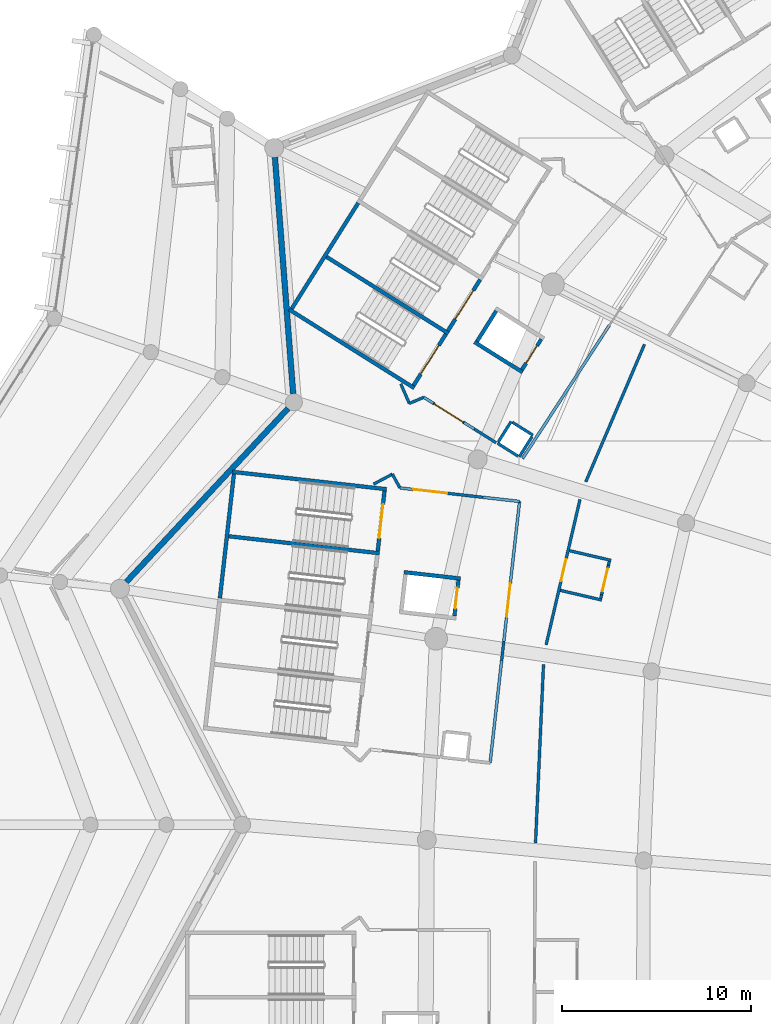
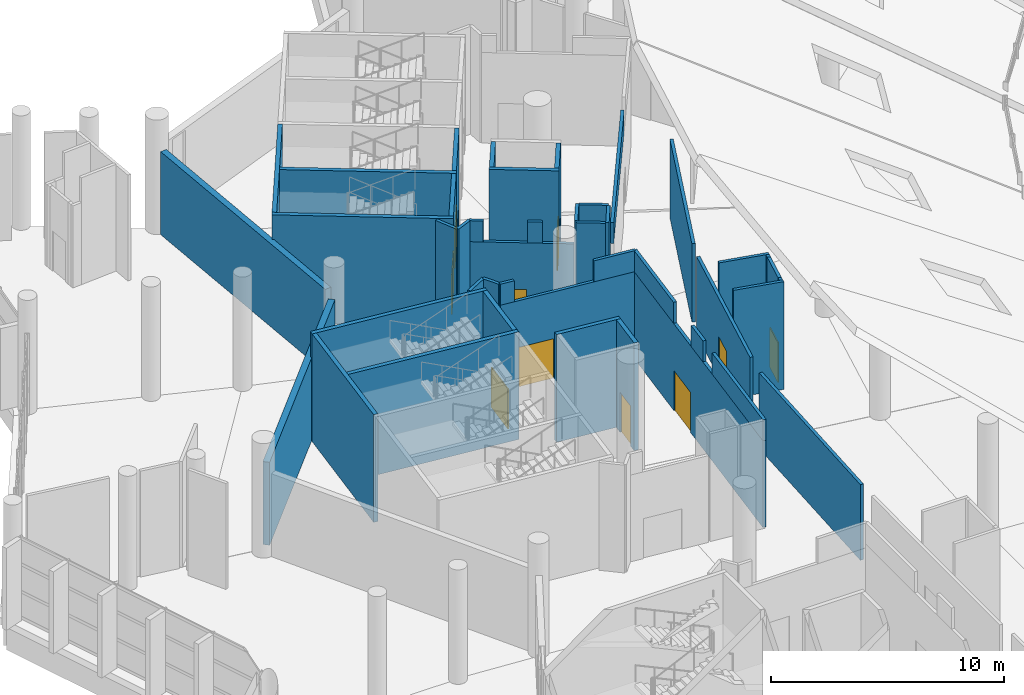
# One storey, part 161 of 249: 43 walls, 10 doors, 10 openings.
"""IFC4 building model written with IfcOpenShell, lengths in metres."""

import ifcopenshell
import ifcopenshell.guid

model = None  # the IFC model being written
_history = None  # IfcOwnerHistory: only IFC2X3 demands one
_inside = {}  # id of a spatial element -> (the spatial element, [elements in it])
_under = {}  # id of a project, library or spatial element -> (it, [spatial elements below it])
_declared = {}  # id of a project -> (the project, [libraries it declares])
_typed = {}  # id of a type object -> (the type object, [elements of that type])
_made_of = {}  # id of a material, layer set ... -> (it, [elements and type objects made of it])


def new_model(schema):
    """Start an empty IFC model of exactly this schema.

    Asked for "IFC4X3", IfcOpenShell would pick the latest addendum, in which some entities
    have other attributes; the version numbers below select the first issue.
    IFC2X3 requires an IfcOwnerHistory on every rooted entity: one is made here for all.
    """
    global model, _history
    if schema == "IFC4X3":
        model = ifcopenshell.file(schema_version=(4, 3, 0, 0))
    else:
        model = ifcopenshell.file(schema=schema)
    _inside.clear()
    _under.clear()
    _declared.clear()
    _typed.clear()
    _made_of.clear()
    _history = None
    if model.schema == "IFC2X3":
        org = make("IfcOrganization", Name="unknown")
        user = make(
            "IfcPersonAndOrganization",
            ThePerson=make("IfcPerson", FamilyName="unknown"),
            TheOrganization=org,
        )
        app = make(
            "IfcApplication",
            ApplicationDeveloper=org,
            Version="unknown",
            ApplicationFullName="unknown",
            ApplicationIdentifier="unknown",
        )
        _history = make(
            "IfcOwnerHistory",
            OwningUser=user,
            OwningApplication=app,
            ChangeAction="ADDED",
            CreationDate=0,
        )
    return model


def make(cls, **values):
    """One entity of the class cls with the attributes given. An attribute that is None is left unset."""
    return model.create_entity(
        cls, **{name: value for name, value in values.items() if value is not None}
    )


def rooted(cls, **values):
    """An entity with a GlobalId (a new one), such as an element, a storey or a relation."""
    return make(cls, GlobalId=ifcopenshell.guid.new(), OwnerHistory=_history, **values)


def si_unit(unit_type, name, prefix=None):
    """IfcSIUnit, for example si_unit("LENGTHUNIT", "METRE", prefix="MILLI")."""
    return make("IfcSIUnit", UnitType=unit_type, Prefix=prefix, Name=name)


def assignment(units):
    """IfcUnitAssignment: the units of a project."""
    return None if units is None else make("IfcUnitAssignment", Units=units)


def point(xyz):
    """IfcCartesianPoint."""
    return None if xyz is None else make("IfcCartesianPoint", Coordinates=xyz)


def direction(xyz):
    """IfcDirection."""
    return None if xyz is None else make("IfcDirection", DirectionRatios=xyz)


def frame(location, z_axis=None, x_axis=None):
    """IfcAxis2Placement3D, a coordinate frame: its origin and axes. An axis left out is left unset."""
    return make(
        "IfcAxis2Placement3D",
        Location=point(location),
        Axis=direction(z_axis),
        RefDirection=direction(x_axis),
    )


def frame_2d(location, x_axis=None):
    """IfcAxis2Placement2D, a coordinate frame in the plane: its origin and x axis."""
    return make(
        "IfcAxis2Placement2D", Location=point(location), RefDirection=direction(x_axis)
    )


def origin():
    """The frame at (0, 0, 0) with its axes left unset."""
    return frame((0.0, 0.0, 0.0))


def place(relative_to, where):
    """IfcLocalPlacement: puts the frame where relative to a parent placement (None: the world)."""
    return make(
        "IfcLocalPlacement", PlacementRelTo=relative_to, RelativePlacement=where
    )


def context(
    kind, dimensions, precision=None, world=None, true_north=None, identifier=None
):
    """IfcGeometricRepresentationContext, for example the 3D "Model" context."""
    return make(
        "IfcGeometricRepresentationContext",
        ContextIdentifier=identifier,
        ContextType=kind,
        CoordinateSpaceDimension=dimensions,
        Precision=precision,
        WorldCoordinateSystem=world,
        TrueNorth=true_north,
    )


def subcontext(parent, identifier, kind, view, scale=None):
    """IfcGeometricRepresentationSubContext, for example "Body" below "Model"."""
    return make(
        "IfcGeometricRepresentationSubContext",
        ContextIdentifier=identifier,
        ContextType=kind,
        ParentContext=parent,
        TargetScale=scale,
        TargetView=view,
    )


def project(units=None, contexts=None):
    """IfcProject with its units and contexts."""
    return rooted(
        "IfcProject",
        Name="project",
        RepresentationContexts=contexts,
        UnitsInContext=assignment(units),
    )


def spatial(cls, under=None, at=None, **own):
    """A site, building, storey or space (cls), placed at a placement, below another one or the project."""
    s = rooted(cls, ObjectPlacement=at, **own)
    if under is not None:
        _under.setdefault(under.id(), (under, []))[1].append(s)
    return s


def profile(cls, at=None, kind="AREA", **sizes):
    """A parametric profile (cls). Its sizes go by their IFC names, for example OverallWidth=200.0."""
    return make(cls, ProfileType=kind, Position=at, **sizes)


def rectangle(**sizes):
    """IfcRectangleProfileDef."""
    return profile("IfcRectangleProfileDef", **sizes)


def extrude(swept, where, along, depth):
    """IfcExtrudedAreaSolid: the profile swept, set in the frame where, extruded along a direction by depth."""
    return make(
        "IfcExtrudedAreaSolid",
        SweptArea=swept,
        Position=where,
        ExtrudedDirection=direction(along),
        Depth=depth,
    )


def shape(context_of_items, identifier, shape_type, items):
    """IfcShapeRepresentation: the items that make up one representation, for example the "Body"."""
    return make(
        "IfcShapeRepresentation",
        ContextOfItems=context_of_items,
        RepresentationIdentifier=identifier,
        RepresentationType=shape_type,
        Items=items,
    )


def material(Name=None, Category=None):
    """IfcMaterial."""
    return make("IfcMaterial", Name=Name, Category=Category)


def layer(
    of_material, thickness, ventilated=None, Name=None, Category=None, Priority=None
):
    """IfcMaterialLayer: one layer of a wall or slab, of a material (None: an air gap)."""
    return make(
        "IfcMaterialLayer",
        Material=of_material,
        LayerThickness=thickness,
        IsVentilated=ventilated,
        Name=Name,
        Category=Category,
        Priority=Priority,
    )


def layer_set(layers, Name=None):
    """IfcMaterialLayerSet."""
    return make("IfcMaterialLayerSet", MaterialLayers=layers, LayerSetName=Name)


def made_of(thing, what):
    """Note that an element or type object is made of a material, layer set ...; save() writes the relation."""
    if what is not None:
        _made_of.setdefault(what.id(), (what, []))[1].append(thing)
    return thing


def type_object(cls, material=None, **own):
    """A type object (cls), such as IfcWallType, which elements share."""
    return made_of(rooted(cls, **own), material)


def element(
    cls,
    number,
    at=None,
    inside=None,
    cuts=None,
    type_object=None,
    material=None,
    context=None,
    identifier="Body",
    shape_type=None,
    held_by="IfcProductDefinitionShape",
    body=None,
    shapes=None,
    **own,
):
    """One element of the class cls, such as IfcWall. Its Tag is "e" and its number.

    at: its placement. inside: the storey or other place that contains it. cuts: it is an
    opening in that element (IfcRelVoidsElement). A single representation is given by context,
    identifier, shape_type and body (its items); several are given by shapes. held_by: the class
    of the entity that holds the representations. save() writes the other relations.
    """
    e = rooted(cls, Tag="e%d" % number, ObjectPlacement=at, **own)
    if body is not None:
        shapes = [shape(context, identifier, shape_type, body)]
    if shapes is not None:
        e.Representation = make(held_by, Representations=shapes)
    if inside is not None:
        _inside.setdefault(inside.id(), (inside, []))[1].append(e)
    if cuts is not None:
        rooted(
            "IfcRelVoidsElement", RelatingBuildingElement=cuts, RelatedOpeningElement=e
        )
    if type_object is not None:
        _typed.setdefault(type_object.id(), (type_object, []))[1].append(e)
    return made_of(e, material)


def fill(opening, filler):
    """IfcRelFillsElement: the door or window that sits in an opening."""
    return rooted(
        "IfcRelFillsElement",
        RelatingOpeningElement=opening,
        RelatedBuildingElement=filler,
    )


def aggregate(whole, parts):
    """IfcRelAggregates: a whole, such as a stair, and the parts it consists of."""
    return rooted("IfcRelAggregates", RelatingObject=whole, RelatedObjects=parts)


def save(model, path):
    """Write the relations noted so far, then the file.

    IfcRelAggregates (storeys below a building ...), IfcRelContainedInSpatialStructure (elements
    in a storey), IfcRelDefinesByType, IfcRelAssociatesMaterial and IfcRelDeclares: one each for
    every whole, place, type object, material and project.
    """
    for whole, parts in _under.values():
        aggregate(whole, parts)
    for where, things in _inside.values():
        rooted(
            "IfcRelContainedInSpatialStructure",
            RelatedElements=things,
            RelatingStructure=where,
        )
    for kind, things in _typed.values():
        rooted("IfcRelDefinesByType", RelatedObjects=things, RelatingType=kind)
    for what, things in _made_of.values():
        rooted("IfcRelAssociatesMaterial", RelatedObjects=things, RelatingMaterial=what)
    for by, libraries in _declared.values():
        rooted("IfcRelDeclares", RelatingContext=by, RelatedDefinitions=libraries)
    model.write(path)


model = new_model("IFC4")

# Units and contexts
model_context = context("Model", 3, precision=1e-05, world=origin(), true_north=direction((0.0, 1.0)))
body_context = subcontext(model_context, "Body", "Model", "MODEL_VIEW")
ifc_project = project(units=[si_unit("LENGTHUNIT", "METRE"), si_unit("AREAUNIT", "SQUARE_METRE"), si_unit("VOLUMEUNIT", "CUBIC_METRE"), si_unit("PLANEANGLEUNIT", "RADIAN"), si_unit("MASSUNIT", "GRAM", prefix="KILO")], contexts=[model_context])

# Site, building, storey
site_placement = place(None, origin())
site = spatial("IfcSite", under=ifc_project, at=site_placement, CompositionType="ELEMENT")
building_placement = place(site_placement, origin())
building = spatial("IfcBuilding", under=site, at=building_placement, Name="Meseta Stadium", CompositionType="ELEMENT")
storey_placement = place(building_placement, frame((0.0, 0.0, 12.0)))
storey = spatial("IfcBuildingStorey", under=building, at=storey_placement, Name="L02", CompositionType="ELEMENT", Elevation=12.0)

# Walls
ifc_material_1 = material(Name="Concrete C40/50", Category="concrete")
ifc_layer_1 = layer(ifc_material_1, 0.199951171875)
ifc_layer_set_1 = layer_set([ifc_layer_1], Name="Core divider wall 200")
wall_type_1 = type_object("IfcWallType", Name="Core divider wall 200", PredefinedType="SHEAR", material=ifc_layer_set_1)
wall_1_placement = place(storey_placement, frame((-90.314453125, 73.8291015625, 0.0), z_axis=(0.0, 0.0, 1.0), x_axis=(0.846722763703, -0.532034361135, 0.0)))
element("IfcWall", 1, at=wall_1_placement, inside=storey, type_object=wall_type_1, Name="Core 14 L02 stair B divider wall", PredefinedType="SHEAR", context=body_context, shape_type="SweptSolid", body=[
    extrude(rectangle(XDim=7.800048828125, YDim=0.199951171875, at=frame_2d((3.89990234375, 0.0))), origin(), (0.0, 0.0, 1.0), 5.64990234375),
])
wall_2_placement = place(storey_placement, frame((-95.503662109375, 58.999267578125, 0.0), z_axis=(0.0, 0.0, 1.0), x_axis=(0.993710792168, -0.111977058046, 0.0)))
element("IfcWall", 2, at=wall_2_placement, inside=storey, type_object=wall_type_1, Name="Core 15 L02 stair A divider wall", PredefinedType="SHEAR", context=body_context, shape_type="SweptSolid", body=[
    extrude(rectangle(XDim=8.199951171875, YDim=0.199951171875, at=frame_2d((4.10009765625, 0.0))), origin(), (0.0, 0.0, 1.0), 5.64990234375),
])
ifc_material_2 = material(Name="Concrete C40/50", Category="concrete")
ifc_layer_2 = layer(ifc_material_2, 0.199951171875)
ifc_layer_set_2 = layer_set([ifc_layer_2], Name="Core shaft wall 200")
wall_type_2 = type_object("IfcWallType", Name="Core shaft wall 200", PredefinedType="SHEAR", material=ifc_layer_set_2)
wall_3_placement = place(storey_placement, frame((-92.123291015625, 70.9501953125, 0.0), z_axis=(0.0, 0.0, 1.0), x_axis=(0.846722763703, -0.532034361135, 0.0)))
element("IfcWall", 3, at=wall_3_placement, inside=storey, type_object=wall_type_2, Name="Core 14 L02 stair wall B-side", PredefinedType="SHEAR", context=body_context, shape_type="SweptSolid", body=[
    extrude(rectangle(XDim=7.800048828125, YDim=0.199951171875, at=frame_2d((3.89990234375, 0.0))), origin(), (0.0, 0.0, 1.0), 5.64990234375),
])
wall_4_placement = place(storey_placement, frame((-88.47412109375, 76.570068359375, 0.0), z_axis=(0.0, 0.0, 1.0), x_axis=(-0.532038964807, -0.846719870989, 0.0)))
element("IfcWall", 4, at=wall_4_placement, inside=storey, type_object=wall_type_2, Name="Core 14 L02 stair B outer end wall", PredefinedType="SHEAR", context=body_context, shape_type="SweptSolid", body=[
    extrude(rectangle(XDim=6.60009765625, YDim=0.199951171875, at=frame_2d((3.300048828125, 0.0))), origin(), (0.0, 0.0, 1.0), 5.64990234375),
])

# Wall, opening, door
wall_5_placement = place(storey_placement, frame((-82.0390625, 72.526611328125, 0.0), z_axis=(0.0, 0.0, 1.0), x_axis=(-0.532013720158, -0.846735733015, 0.0)))
wall_5 = element("IfcWall", 5, at=wall_5_placement, inside=storey, type_object=wall_type_2, Name="Core 14 L02 stair B1 inner end wall", PredefinedType="SHEAR", context=body_context, shape_type="SweptSolid", body=[
    extrude(rectangle(XDim=3.199951171875, YDim=0.199951171875, at=frame_2d((1.60009765625, 0.0))), origin(), (0.0, 0.0, 1.0), 5.64990234375),
])
opening_1_placement = place(wall_5_placement, frame((0.673095703125, 0.0, 0.0)))
opening_1 = element("IfcOpeningElement", 6, at=opening_1_placement, cuts=wall_5, Name="Opening D1027", PredefinedType="OPENING", context=body_context, shape_type="SweptSolid", body=[
    extrude(rectangle(XDim=1.800048828125, YDim=2.10009765625, at=frame_2d((0.89990234375, 1.050048828125))), frame((0.0, 0.10986328125, 0.0), z_axis=(0.0, -1.0, 0.0), x_axis=(1.0, 0.0, 0.0)), (0.0, 0.0, 1.0), 0.219970703125),
])
ifc_material_3 = material(Name="Steel", Category="steel")
door_type_1 = type_object("IfcDoorType", Name="Stair door 1800x2100", OperationType="DOUBLE_DOOR_SINGLE_SWING", PredefinedType="DOOR", material=ifc_material_3)
door_1_placement = place(opening_1_placement, origin())
door_1 = element("IfcDoor", 7, at=door_1_placement, inside=storey, type_object=door_type_1, Name="Stair B1 door 14 L02", OperationType="DOUBLE_DOOR_SINGLE_SWING", OverallHeight=2.10009765625, OverallWidth=1.800048828125, PredefinedType="DOOR", context=body_context, shape_type="SweptSolid", body=[
    extrude(rectangle(XDim=1.800048828125, YDim=2.10009765625, at=frame_2d((0.89990234375, 1.050048828125))), frame((0.0, 0.02490234375, 0.0), z_axis=(0.0, -1.0, 0.0), x_axis=(1.0, 0.0, 0.0)), (0.0, 0.0, 1.0), 0.050048828125),
])
fill(opening_1, door_1)

wall_6_placement = place(storey_placement, frame((-83.847900390625, 69.647705078125, 0.0), z_axis=(0.0, 0.0, 1.0), x_axis=(-0.532013720158, -0.846735733015, 0.0)))
wall_6 = element("IfcWall", 8, at=wall_6_placement, inside=storey, type_object=wall_type_2, Name="Core 14 L02 stair B2 inner end wall", PredefinedType="SHEAR", context=body_context, shape_type="SweptSolid", body=[
    extrude(rectangle(XDim=3.199951171875, YDim=0.199951171875, at=frame_2d((1.60009765625, 0.0))), origin(), (0.0, 0.0, 1.0), 5.64990234375),
])
opening_2_placement = place(wall_6_placement, frame((0.699951171875, 0.0, 0.0)))
opening_2 = element("IfcOpeningElement", 9, at=opening_2_placement, cuts=wall_6, Name="Opening D1023", PredefinedType="OPENING", context=body_context, shape_type="SweptSolid", body=[
    extrude(rectangle(XDim=1.800048828125, YDim=2.10009765625, at=frame_2d((0.89990234375, 1.050048828125))), frame((0.0, 0.10986328125, 0.0), z_axis=(0.0, -1.0, 0.0), x_axis=(1.0, 0.0, 0.0)), (0.0, 0.0, 1.0), 0.219970703125),
])
door_2_placement = place(opening_2_placement, origin())
door_2 = element("IfcDoor", 10, at=door_2_placement, inside=storey, type_object=door_type_1, Name="Stair B2 door 14 L02", OperationType="DOUBLE_DOOR_SINGLE_SWING", OverallHeight=2.10009765625, OverallWidth=1.800048828125, PredefinedType="DOOR", context=body_context, shape_type="SweptSolid", body=[
    extrude(rectangle(XDim=1.800048828125, YDim=2.10009765625, at=frame_2d((0.89990234375, 1.050048828125))), frame((0.0, 0.02490234375, 0.0), z_axis=(0.0, -1.0, 0.0), x_axis=(1.0, 0.0, 0.0)), (0.0, 0.0, 1.0), 0.050048828125),
])
fill(opening_2, door_2)

# Walls
wall_7_placement = place(storey_placement, frame((-82.33837890625, 69.230712890625, 0.0), z_axis=(0.0, 0.0, 1.0), x_axis=(0.846757002027, -0.531979867588, 0.0)))
element("IfcWall", 11, at=wall_7_placement, inside=storey, type_object=wall_type_2, Name="Core 14 L02 lift shaft wall right", PredefinedType="SHEAR", context=body_context, shape_type="SweptSolid", body=[
    extrude(rectangle(XDim=3.0, YDim=0.199951171875, at=frame_2d((1.5, 0.0))), origin(), (0.0, 0.0, 1.0), 5.64990234375),
])
wall_8_placement = place(storey_placement, frame((-81.189697265625, 70.87109375, 0.0), z_axis=(0.0, 0.0, 1.0), x_axis=(-0.531961007765, -0.846768850524, 0.0)))
element("IfcWall", 12, at=wall_8_placement, inside=storey, type_object=wall_type_2, Name="Core 14 L02 lift shaft back wall", PredefinedType="SHEAR", context=body_context, shape_type="SweptSolid", body=[
    extrude(rectangle(XDim=1.900146484375, YDim=0.199951171875, at=frame_2d((0.9501953125, 0.0))), origin(), (0.0, 0.0, 1.0), 5.64990234375),
])

# Wall, opening, door
wall_9_placement = place(storey_placement, frame((-78.81884765625, 69.38134765625, 0.0), z_axis=(0.0, 0.0, 1.0), x_axis=(-0.532018892235, -0.846732483318, 0.0)))
wall_9 = element("IfcWall", 13, at=wall_9_placement, inside=storey, type_object=wall_type_2, Name="Core 14 L02 lift shaft front wall", PredefinedType="SHEAR", context=body_context, shape_type="SweptSolid", body=[
    extrude(rectangle(XDim=1.89990234375, YDim=0.199951171875, at=frame_2d((0.949951171875, 0.0))), origin(), (0.0, 0.0, 1.0), 5.64990234375),
])
opening_3_placement = place(wall_9_placement, frame((0.39990234375, 0.0, 0.0)))
opening_3 = element("IfcOpeningElement", 14, at=opening_3_placement, cuts=wall_9, Name="Opening LD76", PredefinedType="OPENING", context=body_context, shape_type="SweptSolid", body=[
    extrude(rectangle(XDim=1.10009765625, YDim=2.10009765625, at=frame_2d((0.550048828125, 1.050048828125))), frame((0.0, 0.10986328125, 0.0), z_axis=(0.0, -1.0, 0.0), x_axis=(1.0, 0.0, 0.0)), (0.0, 0.0, 1.0), 0.219970703125),
])
ifc_material_4 = material(Name="Steel", Category="steel")
door_type_2 = type_object("IfcDoorType", Name="Lift landing door 1100x2100", OperationType="SLIDING_TO_LEFT", PredefinedType="DOOR", material=ifc_material_4)
door_3_placement = place(opening_3_placement, origin())
door_3 = element("IfcDoor", 15, at=door_3_placement, inside=storey, type_object=door_type_2, Name="Lift landing door LD76", OperationType="SLIDING_TO_RIGHT", OverallHeight=2.10009765625, OverallWidth=1.10009765625, PredefinedType="DOOR", context=body_context, shape_type="SweptSolid", body=[
    extrude(rectangle(XDim=1.10009765625, YDim=2.10009765625, at=frame_2d((0.550048828125, 1.050048828125))), frame((0.0, 0.02490234375, 0.0), z_axis=(0.0, -1.0, 0.0), x_axis=(1.0, 0.0, 0.0)), (0.0, 0.0, 1.0), 0.050048828125),
])
fill(opening_3, door_3)

# Walls
wall_10_placement = place(storey_placement, frame((-95.123046875, 62.3779296875, 0.0), z_axis=(0.0, 0.0, 1.0), x_axis=(0.993710792168, -0.111977058046, 0.0)))
element("IfcWall", 16, at=wall_10_placement, inside=storey, type_object=wall_type_2, Name="Core 15 L02 stair wall A-side", PredefinedType="SHEAR", context=body_context, shape_type="SweptSolid", body=[
    extrude(rectangle(XDim=8.199951171875, YDim=0.199951171875, at=frame_2d((4.10009765625, 0.0))), origin(), (0.0, 0.0, 1.0), 5.64990234375),
])
wall_11_placement = place(storey_placement, frame((-95.034912109375, 62.267333984375, 0.0), z_axis=(0.0, 0.0, 1.0), x_axis=(-0.111933579504, -0.993715690617, 0.0)))
element("IfcWall", 17, at=wall_11_placement, inside=storey, type_object=wall_type_2, Name="Core 15 L02 stair A outer end wall", PredefinedType="SHEAR", context=body_context, shape_type="SweptSolid", body=[
    extrude(rectangle(XDim=6.60009765625, YDim=0.199951171875, at=frame_2d((3.300048828125, 0.0))), origin(), (0.0, 0.0, 1.0), 5.64990234375),
])

# Wall, opening, door
wall_12_placement = place(storey_placement, frame((-87.085205078125, 61.37158203125, 0.0), z_axis=(0.0, 0.0, 1.0), x_axis=(-0.11192190762, -0.993717005286, 0.0)))
wall_12 = element("IfcWall", 18, at=wall_12_placement, inside=storey, type_object=wall_type_2, Name="Core 15 L02 stair A1 inner end wall", PredefinedType="SHEAR", context=body_context, shape_type="SweptSolid", body=[
    extrude(rectangle(XDim=3.199951171875, YDim=0.199951171875, at=frame_2d((1.60009765625, 0.0))), origin(), (0.0, 0.0, 1.0), 5.64990234375),
])
opening_4_placement = place(wall_12_placement, frame((0.699951171875, 0.0, 0.0)))
opening_4 = element("IfcOpeningElement", 19, at=opening_4_placement, cuts=wall_12, Name="Opening D1010", PredefinedType="OPENING", context=body_context, shape_type="SweptSolid", body=[
    extrude(rectangle(XDim=1.800048828125, YDim=2.10009765625, at=frame_2d((0.89990234375, 1.050048828125))), frame((0.0, 0.10986328125, 0.0), z_axis=(0.0, -1.0, 0.0), x_axis=(1.0, 0.0, 0.0)), (0.0, 0.0, 1.0), 0.219970703125),
])
door_4_placement = place(opening_4_placement, origin())
door_4 = element("IfcDoor", 20, at=door_4_placement, inside=storey, type_object=door_type_1, Name="Stair A1 door 15 L02", OperationType="DOUBLE_DOOR_SINGLE_SWING", OverallHeight=2.10009765625, OverallWidth=1.800048828125, PredefinedType="DOOR", context=body_context, shape_type="SweptSolid", body=[
    extrude(rectangle(XDim=1.800048828125, YDim=2.10009765625, at=frame_2d((0.89990234375, 1.050048828125))), frame((0.0, 0.02490234375, 0.0), z_axis=(0.0, -1.0, 0.0), x_axis=(1.0, 0.0, 0.0)), (0.0, 0.0, 1.0), 0.050048828125),
])
fill(opening_4, door_4)

# Wall
wall_13_placement = place(storey_placement, frame((-86.05908203125, 57.07958984375, 0.0), z_axis=(0.0, 0.0, 1.0), x_axis=(0.993718878013, -0.111905279056, 0.0)))
element("IfcWall", 21, at=wall_13_placement, inside=storey, type_object=wall_type_2, Name="Core 15 L02 lift shaft wall left", PredefinedType="SHEAR", context=body_context, shape_type="SweptSolid", body=[
    extrude(rectangle(XDim=2.999755859375, YDim=0.199951171875, at=frame_2d((1.5, 0.0))), origin(), (0.0, 0.0, 1.0), 5.64990234375),
])

# Wall, opening, door
wall_14_placement = place(storey_placement, frame((-83.188720703125, 56.65576171875, 0.0), z_axis=(0.0, 0.0, 1.0), x_axis=(-0.11191213732, -0.993718105662, 0.0)))
wall_14 = element("IfcWall", 22, at=wall_14_placement, inside=storey, type_object=wall_type_2, Name="Core 15 L02 lift shaft front wall", PredefinedType="SHEAR", context=body_context, shape_type="SweptSolid", body=[
    extrude(rectangle(XDim=1.900146484375, YDim=0.199951171875, at=frame_2d((0.9501953125, 0.0))), origin(), (0.0, 0.0, 1.0), 5.64990234375),
])
opening_5_placement = place(wall_14_placement, frame((0.39990234375, 0.0, 0.0)))
opening_5 = element("IfcOpeningElement", 23, at=opening_5_placement, cuts=wall_14, Name="Opening LD82", PredefinedType="OPENING", context=body_context, shape_type="SweptSolid", body=[
    extrude(rectangle(XDim=1.10009765625, YDim=2.10009765625, at=frame_2d((0.550048828125, 1.050048828125))), frame((0.0, 0.10986328125, 0.0), z_axis=(0.0, -1.0, 0.0), x_axis=(1.0, 0.0, 0.0)), (0.0, 0.0, 1.0), 0.219970703125),
])
door_5_placement = place(opening_5_placement, origin())
door_5 = element("IfcDoor", 24, at=door_5_placement, inside=storey, type_object=door_type_2, Name="Lift landing door LD82", OperationType="SLIDING_TO_RIGHT", OverallHeight=2.10009765625, OverallWidth=1.10009765625, PredefinedType="DOOR", context=body_context, shape_type="SweptSolid", body=[
    extrude(rectangle(XDim=1.10009765625, YDim=2.10009765625, at=frame_2d((0.550048828125, 1.050048828125))), frame((0.0, 0.02490234375, 0.0), z_axis=(0.0, -1.0, 0.0), x_axis=(1.0, 0.0, 0.0)), (0.0, 0.0, 1.0), 0.050048828125),
])
fill(opening_5, door_5)

ifc_material_5 = material(Name="Masonry blockwork", Category="masonry")
ifc_layer_3 = layer(ifc_material_5, 0.14990234375)
ifc_layer_set_3 = layer_set([ifc_layer_3], Name="Partition 150")
wall_type_3 = type_object("IfcWallType", Name="Partition 150", PredefinedType="PARTITIONING", material=ifc_layer_set_3)
wall_15_placement = place(storey_placement, frame((-78.55712890625, 53.2412109375, 0.0), z_axis=(0.0, 0.0, 1.0), x_axis=(0.226944673482, 0.973907652284, 0.0)))
wall_15 = element("IfcWall", 25, at=wall_15_placement, inside=storey, type_object=wall_type_3, Name="Partition L02 L02-cell13-0-0", PredefinedType="PARTITIONING", context=body_context, shape_type="SweptSolid", body=[
    extrude(rectangle(XDim=7.882080078125, YDim=0.14990234375, at=frame_2d((3.94091796875, 0.0))), origin(), (0.0, 0.0, 1.0), 4.109619140625),
])
opening_6_placement = place(wall_15_placement, frame((3.449951171875, 0.0, 0.0)))
opening_6 = element("IfcOpeningElement", 26, at=opening_6_placement, cuts=wall_15, Name="Opening D1043", PredefinedType="OPENING", context=body_context, shape_type="SweptSolid", body=[
    extrude(rectangle(XDim=1.199951171875, YDim=2.10009765625, at=frame_2d((0.60009765625, 1.050048828125))), frame((0.0, 0.0849609375, 0.0), z_axis=(0.0, -1.0, 0.0), x_axis=(1.0, 0.0, 0.0)), (0.0, 0.0, 1.0), 0.169921875),
])
ifc_material_6 = material(Name="Steel", Category="steel")
door_type_3 = type_object("IfcDoorType", Name="Fire door 1200x2100 EI2 60", OperationType="NOTDEFINED", PredefinedType="DOOR", material=ifc_material_6)
door_6_placement = place(opening_6_placement, origin())
door_6 = element("IfcDoor", 27, at=door_6_placement, inside=storey, type_object=door_type_3, Name="Room door L02 L02-cell13-0-0", OperationType="SINGLE_SWING_RIGHT", OverallHeight=2.10009765625, OverallWidth=1.199951171875, PredefinedType="DOOR", context=body_context, shape_type="SweptSolid", body=[
    extrude(rectangle(XDim=1.199951171875, YDim=2.10009765625, at=frame_2d((0.60009765625, 1.050048828125))), frame((0.0, 0.02490234375, 0.0), z_axis=(0.0, -1.0, 0.0), x_axis=(1.0, 0.0, 0.0)), (0.0, 0.0, 1.0), 0.050048828125),
])
fill(opening_6, door_6)

# Walls
wall_16_placement = place(storey_placement, frame((-76.462890625, 61.850830078125, 0.0), z_axis=(0.0, 0.0, 1.0), x_axis=(0.39271238508, 0.919661341258, 0.0)))
element("IfcWall", 28, at=wall_16_placement, inside=storey, type_object=wall_type_3, Name="Partition L02 L02-cell13-0-0", PredefinedType="PARTITIONING", context=body_context, shape_type="SweptSolid", body=[
    extrude(rectangle(XDim=7.887939453125, YDim=0.14990234375, at=frame_2d((3.94384765625, 0.0))), origin(), (0.0, 0.0, 1.0), 4.109619140625),
])
wall_17_placement = place(storey_placement, frame((-79.115478515625, 42.7978515625, 0.0), z_axis=(0.0, 0.0, 1.0), x_axis=(0.044750974556, 0.99899817331, 0.0)))
element("IfcWall", 29, at=wall_17_placement, inside=storey, type_object=wall_type_3, Name="Partition L02 L02-cell14-0-0", PredefinedType="PARTITIONING", context=body_context, shape_type="SweptSolid", body=[
    extrude(rectangle(XDim=9.42724609375, YDim=0.14990234375, at=frame_2d((4.713623046875, 0.0))), origin(), (0.0, 0.0, 1.0), 3.972900390625),
])
for number, where, z_axis, x_axis, name in (
    (30, (-80.400634765625, 65.03125, 0.0), (0.0, 0.0, 1.0), (-0.532097038765, -0.846683377265, 0.0), "Pressurisation shaft wall L02 core 14"),
    (31, (-81.118896484375, 63.88818359375, 0.0), (0.0, 0.0, 1.0), (0.846683377265, -0.532097038765, 0.0), "Pressurisation shaft wall L02 core 14"),
):
    element("IfcWall", number, at=place(storey_placement, frame(where, z_axis=z_axis, x_axis=x_axis)), inside=storey, type_object=wall_type_3, Name=name, PredefinedType="PARTITIONING", context=body_context, shape_type="SweptSolid", body=[
        extrude(rectangle(XDim=1.275146484375, YDim=0.14990234375, at=frame_2d((0.6376953125, 0.0))), origin(), (0.0, 0.0, 1.0), 5.64990234375),
    ])
for number, where, z_axis, x_axis, name in (
    (32, (-79.975830078125, 63.169921875, 0.0), (0.0, 0.0, 1.0), (0.531959757672, 0.846769635862, 0.0), "Pressurisation shaft wall L02 core 14"),
    (33, (-79.257568359375, 64.31298828125, 0.0), (0.0, 0.0, 1.0), (-0.846769635862, 0.531959757672, 0.0), "Pressurisation shaft wall L02 core 14"),
):
    element("IfcWall", number, at=place(storey_placement, frame(where, z_axis=z_axis, x_axis=x_axis)), inside=storey, type_object=wall_type_3, Name=name, PredefinedType="PARTITIONING", context=body_context, shape_type="SweptSolid", body=[
        extrude(rectangle(XDim=1.27490234375, YDim=0.14990234375, at=frame_2d((0.637451171875, 0.0))), origin(), (0.0, 0.0, 1.0), 5.64990234375),
    ])
wall_18_placement = place(storey_placement, frame((-86.22900390625, 67.022705078125, 0.0), z_axis=(0.0, 0.0, 1.0), x_axis=(0.401170879934, -0.916003234215, 0.0)))
element("IfcWall", 34, at=wall_18_placement, inside=storey, type_object=wall_type_3, Name="Stair vestibule wall L02 core 14", PredefinedType="PARTITIONING", context=body_context, shape_type="SweptSolid", body=[
    extrude(rectangle(XDim=1.127685546875, YDim=0.14990234375, at=frame_2d((0.56396484375, 0.0))), origin(), (0.0, 0.0, 1.0), 5.64990234375),
])
wall_19_placement = place(storey_placement, frame((-85.776611328125, 65.98974609375, 0.0), z_axis=(0.0, 0.0, 1.0), x_axis=(0.922414184809, 0.386202112453, 0.0)))
element("IfcWall", 35, at=wall_19_placement, inside=storey, type_object=wall_type_3, Name="Stair vestibule wall L02 core 14", PredefinedType="PARTITIONING", context=body_context, shape_type="SweptSolid", body=[
    extrude(rectangle(XDim=0.830078125, YDim=0.14990234375, at=frame_2d((0.4150390625, 0.0))), origin(), (0.0, 0.0, 1.0), 5.64990234375),
])

# Wall, opening, door
wall_20_placement = place(storey_placement, frame((-85.010986328125, 66.310302734375, 0.0), z_axis=(0.0, 0.0, 1.0), x_axis=(0.846710517912, -0.532053849583, 0.0)))
wall_20 = element("IfcWall", 36, at=wall_20_placement, inside=storey, type_object=wall_type_3, Name="Stair vestibule wall L02 core 14", PredefinedType="PARTITIONING", context=body_context, shape_type="SweptSolid", body=[
    extrude(rectangle(XDim=4.50341796875, YDim=0.14990234375, at=frame_2d((2.251708984375, 0.0))), origin(), (0.0, 0.0, 1.0), 4.550048828125),
])
opening_7_placement = place(wall_20_placement, frame((0.64990234375, 0.0, 0.0)))
opening_7 = element("IfcOpeningElement", 37, at=opening_7_placement, cuts=wall_20, Name="Opening D1026", PredefinedType="OPENING", context=body_context, shape_type="SweptSolid", body=[
    extrude(rectangle(XDim=1.800048828125, YDim=2.10009765625, at=frame_2d((0.89990234375, 1.050048828125))), frame((0.0, 0.0849609375, 0.0), z_axis=(0.0, -1.0, 0.0), x_axis=(1.0, 0.0, 0.0)), (0.0, 0.0, 1.0), 0.169921875),
])
ifc_material_7 = material(Name="Steel", Category="steel")
door_type_4 = type_object("IfcDoorType", Name="Fire double door 1800x2100 EI2 60", OperationType="DOUBLE_DOOR_SINGLE_SWING", PredefinedType="DOOR", material=ifc_material_7)
door_7_placement = place(opening_7_placement, origin())
door_7 = element("IfcDoor", 38, at=door_7_placement, inside=storey, type_object=door_type_4, Name="Stair vestibule door L02 core 14", OperationType="DOUBLE_DOOR_SINGLE_SWING", OverallHeight=2.10009765625, OverallWidth=1.800048828125, PredefinedType="DOOR", context=body_context, shape_type="SweptSolid", body=[
    extrude(rectangle(XDim=1.800048828125, YDim=2.10009765625, at=frame_2d((0.89990234375, 1.050048828125))), frame((0.0, 0.02490234375, 0.0), z_axis=(0.0, -1.0, 0.0), x_axis=(1.0, 0.0, 0.0)), (0.0, 0.0, 1.0), 0.050048828125),
])
fill(opening_7, door_7)

# Walls
wall_21_placement = place(storey_placement, frame((-85.010986328125, 66.310302734375, 4.550048828125), z_axis=(0.0, 0.0, 1.0), x_axis=(0.846531749872, -0.532338235015, 0.0)))
element("IfcWall", 39, at=wall_21_placement, inside=storey, type_object=wall_type_3, Name="Stair vestibule wall L02 core 14", PredefinedType="PARTITIONING", context=body_context, shape_type="SweptSolid", body=[
    extrude(rectangle(XDim=0.599853515625, YDim=0.14990234375, at=frame_2d((0.2998046875, 0.0))), origin(), (0.0, 0.0, 1.0), 1.099853515625),
])
wall_22_placement = place(storey_placement, frame((-79.7998046875, 63.075439453125, 4.550048828125), z_axis=(0.0, 0.0, 1.0), x_axis=(0.545506358253, 0.838106683606, 0.0)))
element("IfcWall", 40, at=wall_22_placement, inside=storey, type_object=wall_type_3, Name="Stair vestibule wall L02 core 14", PredefinedType="PARTITIONING", context=body_context, shape_type="SweptSolid", body=[
    extrude(rectangle(XDim=8.413818359375, YDim=0.14990234375, at=frame_2d((4.20703125, 0.0))), origin(), (0.0, 0.0, 1.0), 1.099853515625),
])

# Wall, opening, door
wall_23_placement = place(storey_placement, frame((-81.5126953125, 47.012451171875, 0.0), z_axis=(0.0, 0.0, 1.0), x_axis=(0.111965089533, 0.993712140776, 0.0)))
wall_23 = element("IfcWall", 41, at=wall_23_placement, inside=storey, type_object=wall_type_3, Name="Stair vestibule wall L02 core 15", PredefinedType="PARTITIONING", context=body_context, shape_type="SweptSolid", body=[
    extrude(rectangle(XDim=13.889892578125, YDim=0.14990234375, at=frame_2d((6.94482421875, 0.0))), origin(), (0.0, 0.0, 1.0), 4.550048828125),
])
opening_8_placement = place(wall_23_placement, frame((7.75, 0.0, 0.0)))
opening_8 = element("IfcOpeningElement", 42, at=opening_8_placement, cuts=wall_23, Name="Opening D1034", PredefinedType="OPENING", context=body_context, shape_type="SweptSolid", body=[
    extrude(rectangle(XDim=1.800048828125, YDim=2.10009765625, at=frame_2d((0.89990234375, 1.050048828125))), frame((0.0, 0.0849609375, 0.0), z_axis=(0.0, -1.0, 0.0), x_axis=(1.0, 0.0, 0.0)), (0.0, 0.0, 1.0), 0.169921875),
])
door_8_placement = place(opening_8_placement, origin())
door_8 = element("IfcDoor", 43, at=door_8_placement, inside=storey, type_object=door_type_4, Name="Stair vestibule door L02 core 15", OperationType="DOUBLE_DOOR_SINGLE_SWING", OverallHeight=2.10009765625, OverallWidth=1.800048828125, PredefinedType="DOOR", context=body_context, shape_type="SweptSolid", body=[
    extrude(rectangle(XDim=1.800048828125, YDim=2.10009765625, at=frame_2d((0.89990234375, 1.050048828125))), frame((0.0, 0.02490234375, 0.0), z_axis=(0.0, -1.0, 0.0), x_axis=(1.0, 0.0, 0.0)), (0.0, 0.0, 1.0), 0.050048828125),
])
fill(opening_8, door_8)

# Walls
wall_24_placement = place(storey_placement, frame((-81.5126953125, 47.012451171875, 4.550048828125), z_axis=(0.0, 0.0, 1.0), x_axis=(0.111943888003, 0.993714529399, 0.0)))
element("IfcWall", 44, at=wall_24_placement, inside=storey, type_object=wall_type_3, Name="Stair vestibule wall L02 core 15", PredefinedType="PARTITIONING", context=body_context, shape_type="SweptSolid", body=[
    extrude(rectangle(XDim=5.45654296875, YDim=0.14990234375, at=frame_2d((2.728271484375, 0.0))), origin(), (0.0, 0.0, 1.0), 1.099853515625),
])
wall_25_placement = place(storey_placement, frame((-80.790771484375, 53.4208984375, 4.550048828125), z_axis=(0.0, 0.0, 1.0), x_axis=(0.11201638851, 0.993706359397, 0.0)))
element("IfcWall", 45, at=wall_25_placement, inside=storey, type_object=wall_type_3, Name="Stair vestibule wall L02 core 15", PredefinedType="PARTITIONING", context=body_context, shape_type="SweptSolid", body=[
    extrude(rectangle(XDim=1.2509765625, YDim=0.14990234375, at=frame_2d((0.62548828125, 0.0))), origin(), (0.0, 0.0, 1.0), 1.099853515625),
])

# Wall, opening, door
wall_26_placement = place(storey_placement, frame((-79.95751953125, 60.81494140625, 0.0), z_axis=(0.0, 0.0, 1.0), x_axis=(-0.99370867388, 0.111995854638, 0.0)))
wall_26 = element("IfcWall", 46, at=wall_26_placement, inside=storey, type_object=wall_type_3, Name="Stair vestibule wall L02 core 15", PredefinedType="PARTITIONING", context=body_context, shape_type="SweptSolid", body=[
    extrude(rectangle(XDim=6.3544921875, YDim=0.14990234375, at=frame_2d((3.17724609375, 0.0))), origin(), (0.0, 0.0, 1.0), 4.550048828125),
])
opening_9_placement = place(wall_26_placement, frame((3.85009765625, 0.0, 0.0)))
opening_9 = element("IfcOpeningElement", 47, at=opening_9_placement, cuts=wall_26, Name="Opening D1024", PredefinedType="OPENING", context=body_context, shape_type="SweptSolid", body=[
    extrude(rectangle(XDim=1.800048828125, YDim=2.10009765625, at=frame_2d((0.89990234375, 1.050048828125))), frame((0.0, 0.0849609375, 0.0), z_axis=(0.0, -1.0, 0.0), x_axis=(1.0, 0.0, 0.0)), (0.0, 0.0, 1.0), 0.169921875),
])
door_9_placement = place(opening_9_placement, origin())
door_9 = element("IfcDoor", 48, at=door_9_placement, inside=storey, type_object=door_type_4, Name="Stair vestibule door L02 core 15", OperationType="DOUBLE_DOOR_SINGLE_SWING", OverallHeight=2.10009765625, OverallWidth=1.800048828125, PredefinedType="DOOR", context=body_context, shape_type="SweptSolid", body=[
    extrude(rectangle(XDim=1.800048828125, YDim=2.10009765625, at=frame_2d((0.89990234375, 1.050048828125))), frame((0.0, 0.02490234375, 0.0), z_axis=(0.0, -1.0, 0.0), x_axis=(1.0, 0.0, 0.0)), (0.0, 0.0, 1.0), 0.050048828125),
])
fill(opening_9, door_9)

# Walls
wall_27_placement = place(storey_placement, frame((-79.95751953125, 60.81494140625, 4.550048828125), z_axis=(0.0, 0.0, 1.0), x_axis=(-0.993707363865, 0.11200747743, 0.0)))
element("IfcWall", 49, at=wall_27_placement, inside=storey, type_object=wall_type_3, Name="Stair vestibule wall L02 core 15", PredefinedType="PARTITIONING", context=body_context, shape_type="SweptSolid", body=[
    extrude(rectangle(XDim=1.955078125, YDim=0.14990234375, at=frame_2d((0.9775390625, 0.0))), origin(), (0.0, 0.0, 1.0), 1.099853515625),
])
wall_28_placement = place(storey_placement, frame((-85.621826171875, 61.453125, 4.550048828125), z_axis=(0.0, 0.0, 1.0), x_axis=(-0.993672626597, 0.11231523117, 0.0)))
element("IfcWall", 50, at=wall_28_placement, inside=storey, type_object=wall_type_3, Name="Stair vestibule wall L02 core 15", PredefinedType="PARTITIONING", context=body_context, shape_type="SweptSolid", body=[
    extrude(rectangle(XDim=0.654296875, YDim=0.14990234375, at=frame_2d((0.3271484375, 0.0))), origin(), (0.0, 0.0, 1.0), 1.099853515625),
])
wall_29_placement = place(storey_placement, frame((-86.27197265625, 61.526611328125, 0.0), z_axis=(0.0, 0.0, 1.0), x_axis=(-0.480336186773, 0.877084458691, 0.0)))
element("IfcWall", 51, at=wall_29_placement, inside=storey, type_object=wall_type_3, Name="Stair vestibule wall L02 core 15", PredefinedType="PARTITIONING", context=body_context, shape_type="SweptSolid", body=[
    extrude(rectangle(XDim=0.82958984375, YDim=0.14990234375, at=frame_2d((0.414794921875, 0.0))), origin(), (0.0, 0.0, 1.0), 5.64990234375),
])
wall_30_placement = place(storey_placement, frame((-86.67041015625, 62.254150390625, 0.0), z_axis=(0.0, 0.0, 1.0), x_axis=(-0.884880656279, -0.465817801446, 0.0)))
element("IfcWall", 52, at=wall_30_placement, inside=storey, type_object=wall_type_3, Name="Stair vestibule wall L02 core 15", PredefinedType="PARTITIONING", context=body_context, shape_type="SweptSolid", body=[
    extrude(rectangle(XDim=1.1279296875, YDim=0.14990234375, at=frame_2d((0.56396484375, 0.0))), origin(), (0.0, 0.0, 1.0), 5.64990234375),
])
for number, where, z_axis, x_axis, name in (
    (53, (-77.808837890625, 56.12158203125, 0.0), (0.0, 0.0, 1.0), (0.973893210411, -0.227006640243, 0.0), "Partition L02 L02-cell13-0-0 vestibule"),
    (54, (-77.321044921875, 58.21533203125, 0.0), (0.0, 0.0, 1.0), (0.973922781385, -0.226879738845, 0.0), "Partition L02 L02-cell13-0-0 vestibule"),
):
    element("IfcWall", number, at=place(storey_placement, frame(where, z_axis=z_axis, x_axis=x_axis)), inside=storey, type_object=wall_type_3, Name=name, PredefinedType="PARTITIONING", context=body_context, shape_type="SweptSolid", body=[
        extrude(rectangle(XDim=2.25, YDim=0.14990234375, at=frame_2d((1.125, 0.0))), origin(), (0.0, 0.0, 1.0), 5.64990234375),
    ])
wall_31_placement = place(storey_placement, frame((-75.673583984375, 55.700927734375, 0.0), z_axis=(0.0, 0.0, 1.0), x_axis=(0.225840113613, 0.974164381962, 0.0)))
element("IfcWall", 55, at=wall_31_placement, inside=storey, type_object=wall_type_3, Name="Partition L02 L02-cell13-0-0 vestibule", PredefinedType="PARTITIONING", context=body_context, shape_type="SweptSolid", body=[
    extrude(rectangle(XDim=0.199951171875, YDim=0.14990234375, at=frame_2d((0.10009765625, 0.0))), origin(), (0.0, 0.0, 1.0), 5.64990234375),
])

# Wall, opening, door
wall_32_placement = place(storey_placement, frame((-75.62841796875, 55.895751953125, 0.0), z_axis=(0.0, 0.0, 1.0), x_axis=(0.227031858062, 0.973887331997, 0.0)))
wall_32 = element("IfcWall", 56, at=wall_32_placement, inside=storey, type_object=wall_type_3, Name="Partition L02 L02-cell13-0-0 vestibule", PredefinedType="PARTITIONING", context=body_context, shape_type="SweptSolid", body=[
    extrude(rectangle(XDim=1.60009765625, YDim=0.14990234375, at=frame_2d((0.800048828125, 0.0))), origin(), (0.0, 0.0, 1.0), 5.64990234375),
])
opening_10_placement = place(wall_32_placement, frame((0.199951171875, 0.0, 0.0)))
opening_10 = element("IfcOpeningElement", 57, at=opening_10_placement, cuts=wall_32, Name="Opening D1051", PredefinedType="OPENING", context=body_context, shape_type="SweptSolid", body=[
    extrude(rectangle(XDim=1.199951171875, YDim=2.10009765625, at=frame_2d((0.60009765625, 1.050048828125))), frame((0.0, 0.0849609375, 0.0), z_axis=(0.0, -1.0, 0.0), x_axis=(1.0, 0.0, 0.0)), (0.0, 0.0, 1.0), 0.169921875),
])
door_10_placement = place(opening_10_placement, origin())
door_10 = element("IfcDoor", 58, at=door_10_placement, inside=storey, type_object=door_type_3, Name="Vestibule door L02 L02-cell13-0-0", OperationType="SINGLE_SWING_RIGHT", OverallHeight=2.10009765625, OverallWidth=1.199951171875, PredefinedType="DOOR", context=body_context, shape_type="SweptSolid", body=[
    extrude(rectangle(XDim=1.199951171875, YDim=2.10009765625, at=frame_2d((0.60009765625, 1.050048828125))), frame((0.0, 0.02490234375, 0.0), z_axis=(0.0, -1.0, 0.0), x_axis=(1.0, 0.0, 0.0)), (0.0, 0.0, 1.0), 0.050048828125),
])
fill(opening_10, door_10)

# Walls
wall_33_placement = place(storey_placement, frame((-75.26513671875, 57.4541015625, 0.0), z_axis=(0.0, 0.0, 1.0), x_axis=(0.227268241527, 0.973832196219, 0.0)))
element("IfcWall", 59, at=wall_33_placement, inside=storey, type_object=wall_type_3, Name="Partition L02 L02-cell13-0-0 vestibule", PredefinedType="PARTITIONING", context=body_context, shape_type="SweptSolid", body=[
    extrude(rectangle(XDim=0.19970703125, YDim=0.14990234375, at=frame_2d((0.099853515625, 0.0))), origin(), (0.0, 0.0, 1.0), 5.64990234375),
])
wall_34_placement = place(storey_placement, frame((-82.894287109375, 64.97998046875, 4.550048828125), z_axis=(0.0, 0.0, 1.0), x_axis=(0.846776270945, -0.53194919585, 0.0)))
element("IfcWall", 60, at=wall_34_placement, inside=storey, type_object=wall_type_3, Name="Stair vestibule wall L02 core 14", PredefinedType="PARTITIONING", context=body_context, shape_type="SweptSolid", body=[
    extrude(rectangle(XDim=0.652099609375, YDim=0.14990234375, at=frame_2d((0.326171875, 0.0))), origin(), (0.0, 0.0, 1.0), 1.099853515625),
])
wall_35_placement = place(storey_placement, frame((-80.43798828125, 56.552001953125, 4.550048828125), z_axis=(0.0, 0.0, 1.0), x_axis=(0.111999194174, 0.993708297492, 0.0)))
element("IfcWall", 61, at=wall_35_placement, inside=storey, type_object=wall_type_3, Name="Stair vestibule wall L02 core 15", PredefinedType="PARTITIONING", context=body_context, shape_type="SweptSolid", body=[
    extrude(rectangle(XDim=4.2900390625, YDim=0.14990234375, at=frame_2d((2.14501953125, 0.0))), origin(), (0.0, 0.0, 1.0), 1.099853515625),
])
ifc_material_8 = material(Name="White precast concrete C40/50", Category="concrete")
ifc_layer_4 = layer(ifc_material_8, 0.300048828125)
ifc_layer_set_4 = layer_set([ifc_layer_4], Name="Pleated panel wall 300 concourse")
wall_type_4 = type_object("IfcWallType", Name="Pleated panel wall 300 concourse", PredefinedType="SOLIDWALL", material=ifc_layer_set_4)
for number, where, z_axis, x_axis, name in (
    (62, (-91.9072265625, 66.499755859375, 0.0), (0.0, 0.0, 1.0), (-0.076945644854, 0.997035289114, 0.0), "Pleated facade panel L02 F26"),
    (63, (-100.711181640625, 56.568115234375, 0.0), (0.0, 0.0, 1.0), (0.681794658463, 0.731543603411, 0.0), "Pleated facade panel L02 F27"),
):
    element("IfcWall", number, at=place(storey_placement, frame(where, z_axis=z_axis, x_axis=x_axis)), inside=storey, type_object=wall_type_4, Name=name, PredefinedType="SOLIDWALL", context=body_context, shape_type="SweptSolid", body=[
        extrude(rectangle(XDim=12.513916015625, YDim=0.300048828125, at=frame_2d((6.2568359375, 0.0))), origin(), (0.0, 0.0, 1.0), 4.35009765625),
    ])

save(model, "model.ifc")
